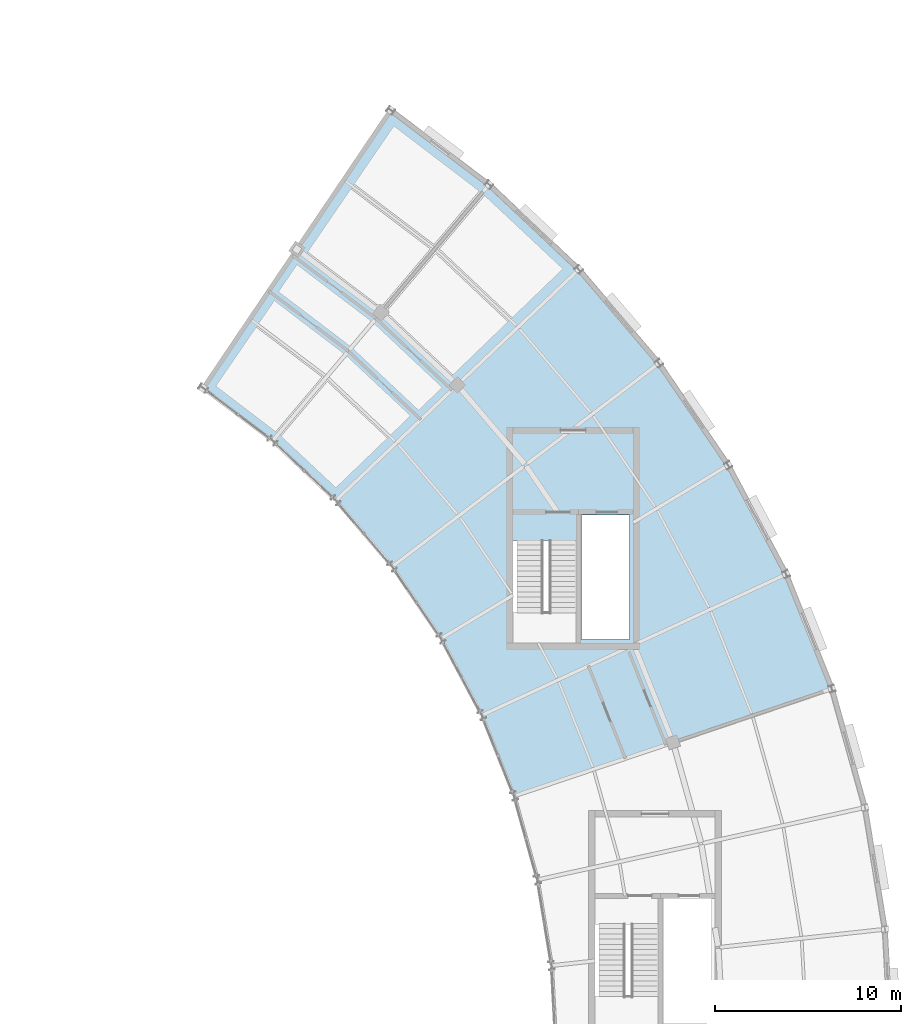
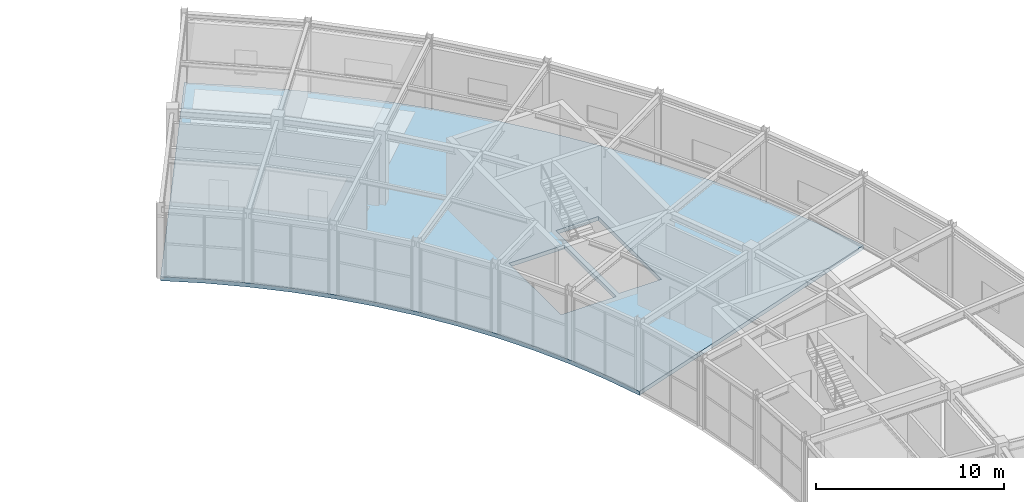
# One storey, part 85 of 108: 1 slab.
"""IFC4 building model written with IfcOpenShell, lengths in metres."""

from ifc_helpers import new_model, si_unit, direction, frame, origin, place, context, subcontext, project, spatial, polyline, outline, extrude, material, layer, layer_set, type_object, element, save


model = new_model("IFC4")

# Units and contexts
model_context = context("Model", 3, precision=1e-05, world=origin(), true_north=direction((0.0, 1.0)))
body_context = subcontext(model_context, "Body", "Model", "MODEL_VIEW")
ifc_project = project(units=[si_unit("LENGTHUNIT", "METRE"), si_unit("AREAUNIT", "SQUARE_METRE"), si_unit("VOLUMEUNIT", "CUBIC_METRE"), si_unit("PLANEANGLEUNIT", "RADIAN"), si_unit("MASSUNIT", "GRAM", prefix="KILO")], contexts=[model_context])

# Site, building, storey
site_placement = place(None, origin())
site = spatial("IfcSite", under=ifc_project, at=site_placement, CompositionType="ELEMENT")
building_placement = place(site_placement, origin())
building = spatial("IfcBuilding", under=site, at=building_placement, Name="Tarnveldt Headland Concert Hall", CompositionType="ELEMENT")
storey_placement = place(building_placement, frame((0.0, 0.0, 9.60009765625)))
storey = spatial("IfcBuildingStorey", under=building, at=storey_placement, Name="L02", CompositionType="ELEMENT", Elevation=9.60009765625)

# Slab
ifc_material = material(Name="Concrete C40/50", Category="concrete")
ifc_layer = layer(ifc_material, 0.260009765625, Name="Concrete C40/50", Category="concrete")
ifc_layer_set = layer_set([ifc_layer], Name="Concrete C40/50")
slab_type = type_object("IfcSlabType", Name="SL-FL260", PredefinedType="FLOOR", material=ifc_layer_set)
slab_placement = place(storey_placement, frame((0.0, 0.0, -0.260009765625)))
element("IfcSlab", 1, at=slab_placement, inside=storey, type_object=slab_type, Name="Crescent wing floor slab L02 sector 2", PredefinedType="FLOOR", context=body_context, shape_type="SweptSolid", body=[
    extrude(outline(polyline([(157.43115234375, 75.953369140625), (158.238037109375, 73.7626953125), (175.291259765625, 79.523681640625), (174.146484375, 82.631591796875), (172.834716796875, 85.672607421875), (171.35986328125, 88.6376953125), (169.726318359375, 91.518798828125), (167.938720703125, 94.306640625), (166.00244140625, 96.993408203125), (163.923095703125, 99.5712890625), (161.70703125, 102.032470703125), (159.360595703125, 104.369873046875), (156.89111328125, 106.576416015625), (154.30517578125, 108.6455078125), (151.61083984375, 110.5712890625), (141.54541015625, 95.648681640625), (143.444580078125, 94.291015625), (145.267333984375, 92.83251953125), (147.00830078125, 91.277099609375), (148.662353515625, 89.62939453125), (150.224609375, 87.89453125), (151.690185546875, 86.077392578125), (153.05517578125, 84.183349609375), (154.315185546875, 82.218017578125), (155.466796875, 80.187255859375), (156.50634765625, 78.096923828125), (157.43115234375, 75.953369140625)]), holes=[polyline([(158.179931640625, 87.47998046875), (161.56005859375, 87.47998046875), (161.56005859375, 81.97998046875), (158.179931640625, 81.97998046875), (158.179931640625, 87.47998046875)]), polyline([(164.43994140625, 88.860107421875), (164.43994140625, 82.159912109375), (161.840087890625, 82.159912109375), (161.840087890625, 88.860107421875), (164.43994140625, 88.860107421875)])]), origin(), (0.0, 0.0, 1.0), 0.260009765625),
])

save(model, "model.ifc")
